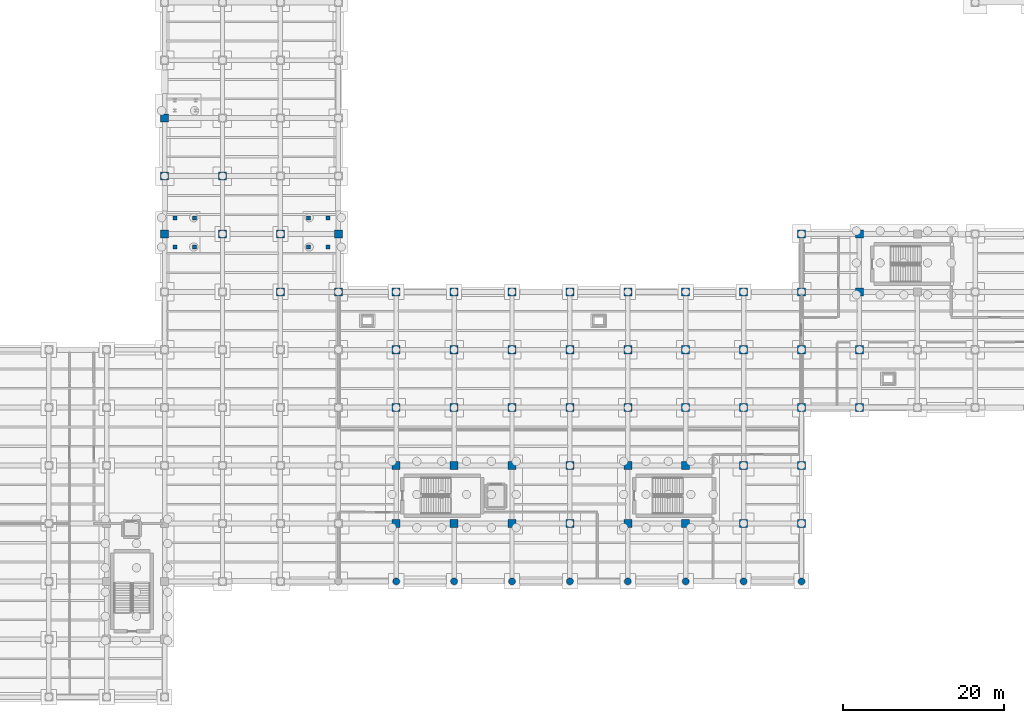
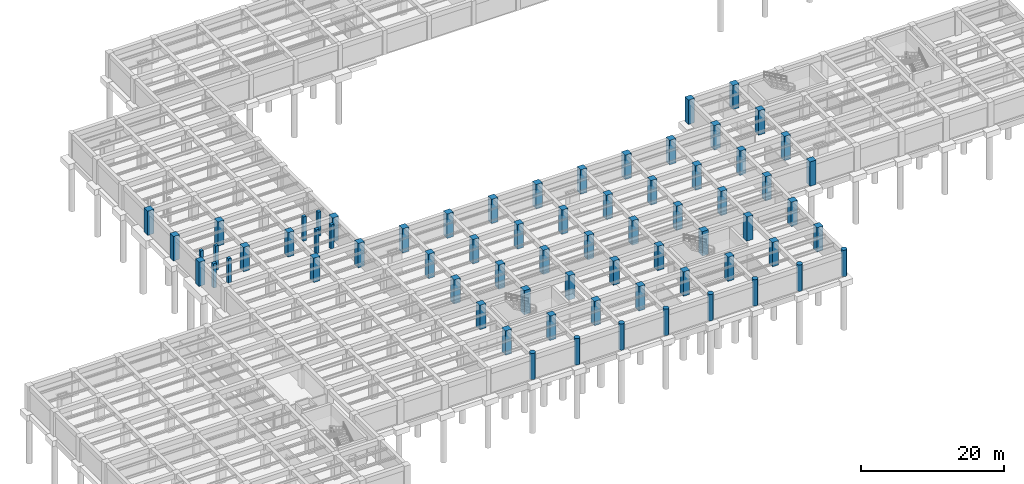
# One storey, part 5 of 34: 70 columns.
"""IFC4 building model written with IfcOpenShell, lengths in metres."""

from ifc_helpers import new_model, si_unit, direction, frame, origin, origin_2d, place, context, subcontext, project, spatial, rectangle, circle, extrude, material, material_profile, profile_set, type_object, element, save


model = new_model("IFC4")

# Units and contexts
model_context = context("Model", 3, precision=1e-05, world=origin(), true_north=direction((0.0, 1.0)))
body_context = subcontext(model_context, "Body", "Model", "MODEL_VIEW")
ifc_project = project(units=[si_unit("LENGTHUNIT", "METRE"), si_unit("AREAUNIT", "SQUARE_METRE"), si_unit("VOLUMEUNIT", "CUBIC_METRE"), si_unit("PLANEANGLEUNIT", "RADIAN"), si_unit("MASSUNIT", "GRAM", prefix="KILO")], contexts=[model_context])

# Site, building, storey
site_placement = place(None, origin())
site = spatial("IfcSite", under=ifc_project, at=site_placement, CompositionType="ELEMENT")
building_placement = place(site_placement, origin())
building = spatial("IfcBuilding", under=site, at=building_placement, Name="Solenvale Faculty of Natural Sciences", CompositionType="ELEMENT")
storey_placement = place(building_placement, frame((0.0, 0.0, -4.5)))
storey = spatial("IfcBuildingStorey", under=building, at=storey_placement, Name="B01", CompositionType="ELEMENT", Elevation=-4.5)

# Columns
ifc_material_1 = material(Name="Concrete 50 MPa", Category="concrete")
ifc_material_profile_1 = material_profile(ifc_material_1, rectangle(XDim=1.0, YDim=1.0, at=origin_2d()), Name="RC-COL-1000x1000")
ifc_profile_set_1 = profile_set([ifc_material_profile_1], Name="Concrete 50 MPa")
column_type_1 = type_object("IfcColumnType", Name="COL-RC-1000", PredefinedType="COLUMN", material=ifc_profile_set_1)
for number, where, z_axis, x_axis, name in (
    (1, (36.0, 57.60009765625, 0.0), (0.0, 0.0, 1.0), (1.0, 0.0, 0.0), "B01 Column (36.0, 57.6)"),
    (2, (36.0, 64.800048828125, 0.0), (0.0, 0.0, 1.0), (1.0, 0.0, 0.0), "B01 Column (36.0, 64.8)"),
    (3, (36.0, 72.0, 0.0), (0.0, 0.0, 1.0), (1.0, 0.0, 0.0), "B01 Column (36.0, 72.0)"),
    (4, (43.199951171875, 57.60009765625, 0.0), (0.0, 0.0, 1.0), (1.0, 0.0, 0.0), "B01 Column (43.2, 57.6)"),
    (5, (43.199951171875, 64.800048828125, 0.0), (0.0, 0.0, 1.0), (1.0, 0.0, 0.0), "B01 Column (43.2, 64.8)"),
    (6, (50.39990234375, 50.39990234375, 0.0), (0.0, 0.0, 1.0), (1.0, 0.0, 0.0), "B01 Column (50.4, 50.4)"),
    (7, (50.39990234375, 57.60009765625, 0.0), (0.0, 0.0, 1.0), (1.0, 0.0, 0.0), "B01 Column (50.4, 57.6)"),
    (8, (57.60009765625, 50.39990234375, 0.0), (0.0, 0.0, 1.0), (1.0, 0.0, 0.0), "B01 Column (57.6, 50.4)"),
    (9, (57.60009765625, 57.60009765625, 0.0), (0.0, 0.0, 1.0), (1.0, 0.0, 0.0), "B01 Column (57.6, 57.6)"),
    (10, (64.800048828125, 21.60009765625, 0.0), (0.0, 0.0, 1.0), (1.0, 0.0, 0.0), "B01 Column (64.8, 21.6)"),
    (11, (64.800048828125, 28.800048828125, 0.0), (0.0, 0.0, 1.0), (1.0, 0.0, 0.0), "B01 Column (64.8, 28.8)"),
    (12, (64.800048828125, 36.0, 0.0), (0.0, 0.0, 1.0), (1.0, 0.0, 0.0), "B01 Column (64.8, 36.0)"),
    (13, (64.800048828125, 43.199951171875, 0.0), (0.0, 0.0, 1.0), (1.0, 0.0, 0.0), "B01 Column (64.8, 43.2)"),
    (14, (64.800048828125, 50.39990234375, 0.0), (0.0, 0.0, 1.0), (1.0, 0.0, 0.0), "B01 Column (64.8, 50.4)"),
    (15, (72.0, 21.60009765625, 0.0), (0.0, 0.0, 1.0), (1.0, 0.0, 0.0), "B01 Column (72.0, 21.6)"),
    (16, (72.0, 28.800048828125, 0.0), (0.0, 0.0, 1.0), (1.0, 0.0, 0.0), "B01 Column (72.0, 28.8)"),
    (17, (72.0, 36.0, 0.0), (0.0, 0.0, 1.0), (1.0, 0.0, 0.0), "B01 Column (72.0, 36.0)"),
    (18, (72.0, 43.199951171875, 0.0), (0.0, 0.0, 1.0), (1.0, 0.0, 0.0), "B01 Column (72.0, 43.2)"),
    (19, (72.0, 50.39990234375, 0.0), (0.0, 0.0, 1.0), (1.0, 0.0, 0.0), "B01 Column (72.0, 50.4)"),
    (20, (79.199951171875, 21.60009765625, 0.0), (0.0, 0.0, 1.0), (1.0, 0.0, 0.0), "B01 Column (79.2, 21.6)"),
    (21, (79.199951171875, 28.800048828125, 0.0), (0.0, 0.0, 1.0), (1.0, 0.0, 0.0), "B01 Column (79.2, 28.8)"),
    (22, (79.199951171875, 36.0, 0.0), (0.0, 0.0, 1.0), (1.0, 0.0, 0.0), "B01 Column (79.2, 36.0)"),
    (23, (79.199951171875, 43.199951171875, 0.0), (0.0, 0.0, 1.0), (1.0, 0.0, 0.0), "B01 Column (79.2, 43.2)"),
    (24, (79.199951171875, 50.39990234375, 0.0), (0.0, 0.0, 1.0), (1.0, 0.0, 0.0), "B01 Column (79.2, 50.4)"),
    (25, (86.39990234375, 21.60009765625, 0.0), (0.0, 0.0, 1.0), (1.0, 0.0, 0.0), "B01 Column (86.4, 21.6)"),
    (26, (86.39990234375, 28.800048828125, 0.0), (0.0, 0.0, 1.0), (1.0, 0.0, 0.0), "B01 Column (86.4, 28.8)"),
    (27, (86.39990234375, 36.0, 0.0), (0.0, 0.0, 1.0), (1.0, 0.0, 0.0), "B01 Column (86.4, 36.0)"),
    (28, (86.39990234375, 43.199951171875, 0.0), (0.0, 0.0, 1.0), (1.0, 0.0, 0.0), "B01 Column (86.4, 43.2)"),
    (29, (86.39990234375, 50.39990234375, 0.0), (0.0, 0.0, 1.0), (1.0, 0.0, 0.0), "B01 Column (86.4, 50.4)"),
    (30, (93.60009765625, 21.60009765625, 0.0), (0.0, 0.0, 1.0), (1.0, 0.0, 0.0), "B01 Column (93.6, 21.6)"),
    (31, (93.60009765625, 28.800048828125, 0.0), (0.0, 0.0, 1.0), (1.0, 0.0, 0.0), "B01 Column (93.6, 28.8)"),
    (32, (93.60009765625, 36.0, 0.0), (0.0, 0.0, 1.0), (1.0, 0.0, 0.0), "B01 Column (93.6, 36.0)"),
    (33, (93.60009765625, 43.199951171875, 0.0), (0.0, 0.0, 1.0), (1.0, 0.0, 0.0), "B01 Column (93.6, 43.2)"),
    (34, (93.60009765625, 50.39990234375, 0.0), (0.0, 0.0, 1.0), (1.0, 0.0, 0.0), "B01 Column (93.6, 50.4)"),
    (35, (100.800048828125, 21.60009765625, 0.0), (0.0, 0.0, 1.0), (1.0, 0.0, 0.0), "B01 Column (100.8, 21.6)"),
    (36, (100.800048828125, 28.800048828125, 0.0), (0.0, 0.0, 1.0), (1.0, 0.0, 0.0), "B01 Column (100.8, 28.8)"),
    (37, (100.800048828125, 36.0, 0.0), (0.0, 0.0, 1.0), (1.0, 0.0, 0.0), "B01 Column (100.8, 36.0)"),
    (38, (100.800048828125, 43.199951171875, 0.0), (0.0, 0.0, 1.0), (1.0, 0.0, 0.0), "B01 Column (100.8, 43.2)"),
    (39, (100.800048828125, 50.39990234375, 0.0), (0.0, 0.0, 1.0), (1.0, 0.0, 0.0), "B01 Column (100.8, 50.4)"),
    (40, (108.0, 21.60009765625, 0.0), (0.0, 0.0, 1.0), (1.0, 0.0, 0.0), "B01 Column (108.0, 21.6)"),
    (41, (108.0, 28.800048828125, 0.0), (0.0, 0.0, 1.0), (1.0, 0.0, 0.0), "B01 Column (108.0, 28.8)"),
    (42, (108.0, 36.0, 0.0), (0.0, 0.0, 1.0), (1.0, 0.0, 0.0), "B01 Column (108.0, 36.0)"),
    (43, (108.0, 43.199951171875, 0.0), (0.0, 0.0, 1.0), (1.0, 0.0, 0.0), "B01 Column (108.0, 43.2)"),
    (44, (108.0, 50.39990234375, 0.0), (0.0, 0.0, 1.0), (1.0, 0.0, 0.0), "B01 Column (108.0, 50.4)"),
    (45, (115.199951171875, 21.60009765625, 0.0), (0.0, 0.0, 1.0), (1.0, 0.0, 0.0), "B01 Column (115.2, 21.6)"),
    (46, (115.199951171875, 28.800048828125, 0.0), (0.0, 0.0, 1.0), (1.0, 0.0, 0.0), "B01 Column (115.2, 28.8)"),
    (47, (115.199951171875, 36.0, 0.0), (0.0, 0.0, 1.0), (1.0, 0.0, 0.0), "B01 Column (115.2, 36.0)"),
    (48, (115.199951171875, 43.199951171875, 0.0), (0.0, 0.0, 1.0), (1.0, 0.0, 0.0), "B01 Column (115.2, 43.2)"),
    (49, (115.199951171875, 50.39990234375, 0.0), (0.0, 0.0, 1.0), (1.0, 0.0, 0.0), "B01 Column (115.2, 50.4)"),
    (50, (115.199951171875, 57.60009765625, 0.0), (0.0, 0.0, 1.0), (1.0, 0.0, 0.0), "B01 Column (115.2, 57.6)"),
    (51, (122.39990234375, 36.0, 0.0), (0.0, 0.0, 1.0), (1.0, 0.0, 0.0), "B01 Column (122.4, 36.0)"),
    (52, (122.39990234375, 43.199951171875, 0.0), (0.0, 0.0, 1.0), (1.0, 0.0, 0.0), "B01 Column (122.4, 43.2)"),
    (53, (122.39990234375, 50.39990234375, 0.0), (0.0, 0.0, 1.0), (1.0, 0.0, 0.0), "B01 Column (122.4, 50.4)"),
    (54, (122.39990234375, 57.60009765625, 0.0), (0.0, 0.0, 1.0), (1.0, 0.0, 0.0), "B01 Column (122.4, 57.6)"),
):
    element("IfcColumn", number, at=place(storey_placement, frame(where, z_axis=z_axis, x_axis=x_axis)), inside=storey, type_object=column_type_1, Name=name, PredefinedType="COLUMN", context=body_context, shape_type="SweptSolid", body=[
        extrude(rectangle(XDim=1.0, YDim=1.0, at=origin_2d()), origin(), (0.0, 0.0, 1.0), 4.14990234375),
    ])
ifc_material_2 = material(Name="Concrete 40 MPa", Category="concrete")
ifc_material_profile_2 = material_profile(ifc_material_2, rectangle(XDim=0.5, YDim=0.5, at=origin_2d()), Name="RC-COL-500x500")
ifc_profile_set_2 = profile_set([ifc_material_profile_2], Name="Concrete 40 MPa")
column_type_2 = type_object("IfcColumnType", Name="COL-RC-500", PredefinedType="COLUMN", material=ifc_profile_set_2)
for number, where, z_axis, x_axis, name in (
    (55, (53.89990234375, 56.0, 0.0), (0.0, 0.0, 1.0), (1.0, 0.0, 0.0), "RMP-01 Landing B01 Column"),
    (56, (53.89990234375, 59.60009765625, 0.0), (0.0, 0.0, 1.0), (1.0, 0.0, 0.0), "RMP-01 Landing B01 Column"),
    (57, (56.300048828125, 56.0, 0.0), (0.0, 0.0, 1.0), (1.0, 0.0, 0.0), "RMP-01 Landing B01 Column"),
    (58, (56.300048828125, 59.60009765625, 0.0), (0.0, 0.0, 1.0), (1.0, 0.0, 0.0), "RMP-01 Landing B01 Column"),
    (59, (37.300048828125, 56.0, 0.0), (0.0, 0.0, 1.0), (1.0, 0.0, 0.0), "RMP-02 Landing B01 Column"),
    (60, (37.300048828125, 59.60009765625, 0.0), (0.0, 0.0, 1.0), (1.0, 0.0, 0.0), "RMP-02 Landing B01 Column"),
    (61, (39.699951171875, 56.0, 0.0), (0.0, 0.0, 1.0), (1.0, 0.0, 0.0), "RMP-02 Landing B01 Column"),
    (62, (39.699951171875, 59.60009765625, 0.0), (0.0, 0.0, 1.0), (1.0, 0.0, 0.0), "RMP-02 Landing B01 Column"),
):
    element("IfcColumn", number, at=place(storey_placement, frame(where, z_axis=z_axis, x_axis=x_axis)), inside=storey, type_object=column_type_2, Name=name, PredefinedType="COLUMN", context=body_context, shape_type="SweptSolid", body=[
        extrude(rectangle(XDim=0.5, YDim=0.5, at=origin_2d()), origin(), (0.0, 0.0, 1.0), 4.14990234375),
    ])
ifc_material_3 = material(Name="Architectural bronze concrete 40 MPa", Category="concrete")
ifc_material_profile_3 = material_profile(ifc_material_3, circle(Radius=0.425048828125, at=origin_2d()), Name="RC-COL-D850")
ifc_profile_set_3 = profile_set([ifc_material_profile_3], Name="Architectural bronze concrete 40 MPa")
column_type_3 = type_object("IfcColumnType", Name="COL-RC-D850", PredefinedType="COLUMN", material=ifc_profile_set_3)
for number, where, z_axis, x_axis, name in (
    (63, (64.800048828125, 14.39990234375, 0.0), (0.0, 0.0, 1.0), (1.0, 0.0, 0.0), "B01 Column (64.8, 14.4)"),
    (64, (72.0, 14.39990234375, 0.0), (0.0, 0.0, 1.0), (1.0, 0.0, 0.0), "B01 Column (72.0, 14.4)"),
    (65, (79.199951171875, 14.39990234375, 0.0), (0.0, 0.0, 1.0), (1.0, 0.0, 0.0), "B01 Column (79.2, 14.4)"),
    (66, (86.39990234375, 14.39990234375, 0.0), (0.0, 0.0, 1.0), (1.0, 0.0, 0.0), "B01 Column (86.4, 14.4)"),
    (67, (93.60009765625, 14.39990234375, 0.0), (0.0, 0.0, 1.0), (1.0, 0.0, 0.0), "B01 Column (93.6, 14.4)"),
    (68, (100.800048828125, 14.39990234375, 0.0), (0.0, 0.0, 1.0), (1.0, 0.0, 0.0), "B01 Column (100.8, 14.4)"),
    (69, (108.0, 14.39990234375, 0.0), (0.0, 0.0, 1.0), (1.0, 0.0, 0.0), "B01 Column (108.0, 14.4)"),
    (70, (115.199951171875, 14.39990234375, 0.0), (0.0, 0.0, 1.0), (1.0, 0.0, 0.0), "B01 Column (115.2, 14.4)"),
):
    element("IfcColumn", number, at=place(storey_placement, frame(where, z_axis=z_axis, x_axis=x_axis)), inside=storey, type_object=column_type_3, Name=name, PredefinedType="COLUMN", context=body_context, shape_type="SweptSolid", body=[
        extrude(circle(Radius=0.425048828125, at=origin_2d()), origin(), (0.0, 0.0, 1.0), 4.5),
    ])

save(model, "model.ifc")
